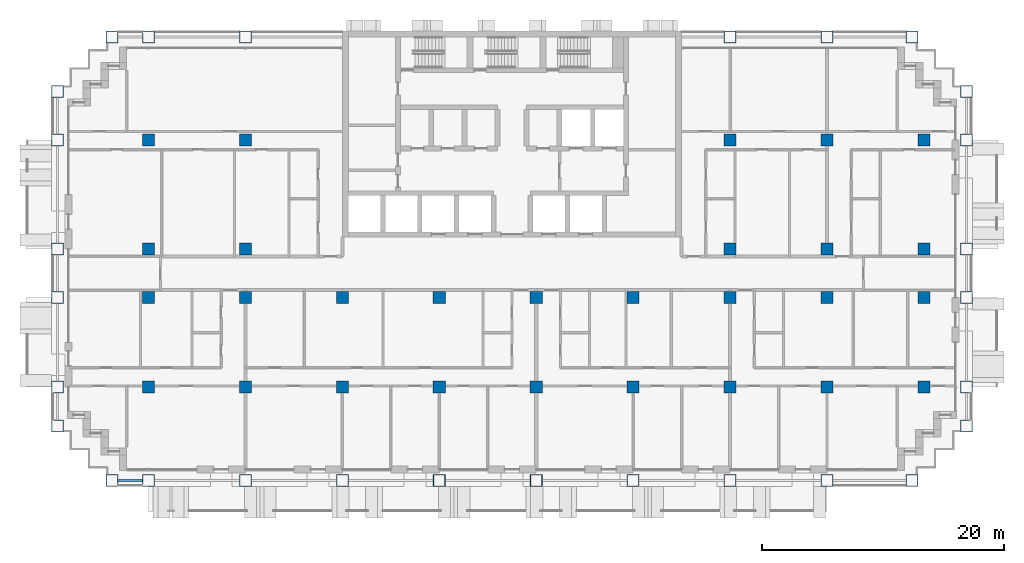
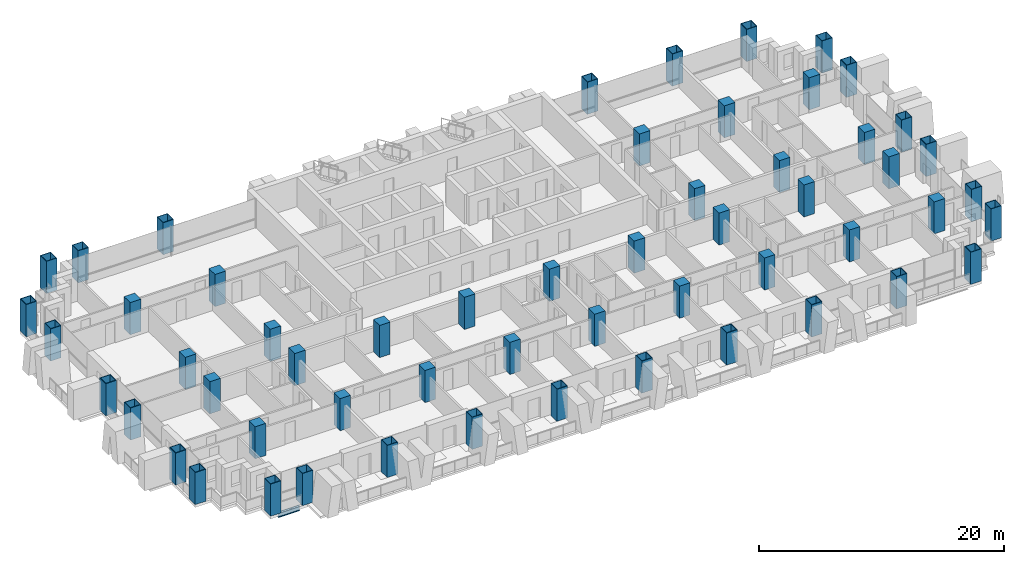
# One storey, part 1 of 18: 56 columns, 1 beam.
"""IFC4 building model written with IfcOpenShell, lengths in metres."""

import ifcopenshell
import ifcopenshell.guid

model = None  # the IFC model being written
_history = None  # IfcOwnerHistory: only IFC2X3 demands one
_inside = {}  # id of a spatial element -> (the spatial element, [elements in it])
_under = {}  # id of a project, library or spatial element -> (it, [spatial elements below it])
_declared = {}  # id of a project -> (the project, [libraries it declares])
_typed = {}  # id of a type object -> (the type object, [elements of that type])
_made_of = {}  # id of a material, layer set ... -> (it, [elements and type objects made of it])


def new_model(schema):
    """Start an empty IFC model of exactly this schema.

    Asked for "IFC4X3", IfcOpenShell would pick the latest addendum, in which some entities
    have other attributes; the version numbers below select the first issue.
    IFC2X3 requires an IfcOwnerHistory on every rooted entity: one is made here for all.
    """
    global model, _history
    if schema == "IFC4X3":
        model = ifcopenshell.file(schema_version=(4, 3, 0, 0))
    else:
        model = ifcopenshell.file(schema=schema)
    _inside.clear()
    _under.clear()
    _declared.clear()
    _typed.clear()
    _made_of.clear()
    _history = None
    if model.schema == "IFC2X3":
        org = make("IfcOrganization", Name="unknown")
        user = make(
            "IfcPersonAndOrganization",
            ThePerson=make("IfcPerson", FamilyName="unknown"),
            TheOrganization=org,
        )
        app = make(
            "IfcApplication",
            ApplicationDeveloper=org,
            Version="unknown",
            ApplicationFullName="unknown",
            ApplicationIdentifier="unknown",
        )
        _history = make(
            "IfcOwnerHistory",
            OwningUser=user,
            OwningApplication=app,
            ChangeAction="ADDED",
            CreationDate=0,
        )
    return model


def make(cls, **values):
    """One entity of the class cls with the attributes given. An attribute that is None is left unset."""
    return model.create_entity(
        cls, **{name: value for name, value in values.items() if value is not None}
    )


def rooted(cls, **values):
    """An entity with a GlobalId (a new one), such as an element, a storey or a relation."""
    return make(cls, GlobalId=ifcopenshell.guid.new(), OwnerHistory=_history, **values)


def si_unit(unit_type, name, prefix=None):
    """IfcSIUnit, for example si_unit("LENGTHUNIT", "METRE", prefix="MILLI")."""
    return make("IfcSIUnit", UnitType=unit_type, Prefix=prefix, Name=name)


def assignment(units):
    """IfcUnitAssignment: the units of a project."""
    return None if units is None else make("IfcUnitAssignment", Units=units)


def point(xyz):
    """IfcCartesianPoint."""
    return None if xyz is None else make("IfcCartesianPoint", Coordinates=xyz)


def direction(xyz):
    """IfcDirection."""
    return None if xyz is None else make("IfcDirection", DirectionRatios=xyz)


def frame(location, z_axis=None, x_axis=None):
    """IfcAxis2Placement3D, a coordinate frame: its origin and axes. An axis left out is left unset."""
    return make(
        "IfcAxis2Placement3D",
        Location=point(location),
        Axis=direction(z_axis),
        RefDirection=direction(x_axis),
    )


def frame_2d(location, x_axis=None):
    """IfcAxis2Placement2D, a coordinate frame in the plane: its origin and x axis."""
    return make(
        "IfcAxis2Placement2D", Location=point(location), RefDirection=direction(x_axis)
    )


def origin():
    """The frame at (0, 0, 0) with its axes left unset."""
    return frame((0.0, 0.0, 0.0))


def origin_2d():
    """The frame at (0, 0) in the plane with its x axis left unset."""
    return frame_2d((0.0, 0.0))


def place(relative_to, where):
    """IfcLocalPlacement: puts the frame where relative to a parent placement (None: the world)."""
    return make(
        "IfcLocalPlacement", PlacementRelTo=relative_to, RelativePlacement=where
    )


def context(
    kind, dimensions, precision=None, world=None, true_north=None, identifier=None
):
    """IfcGeometricRepresentationContext, for example the 3D "Model" context."""
    return make(
        "IfcGeometricRepresentationContext",
        ContextIdentifier=identifier,
        ContextType=kind,
        CoordinateSpaceDimension=dimensions,
        Precision=precision,
        WorldCoordinateSystem=world,
        TrueNorth=true_north,
    )


def subcontext(parent, identifier, kind, view, scale=None):
    """IfcGeometricRepresentationSubContext, for example "Body" below "Model"."""
    return make(
        "IfcGeometricRepresentationSubContext",
        ContextIdentifier=identifier,
        ContextType=kind,
        ParentContext=parent,
        TargetScale=scale,
        TargetView=view,
    )


def project(units=None, contexts=None):
    """IfcProject with its units and contexts."""
    return rooted(
        "IfcProject",
        Name="project",
        RepresentationContexts=contexts,
        UnitsInContext=assignment(units),
    )


def spatial(cls, under=None, at=None, **own):
    """A site, building, storey or space (cls), placed at a placement, below another one or the project."""
    s = rooted(cls, ObjectPlacement=at, **own)
    if under is not None:
        _under.setdefault(under.id(), (under, []))[1].append(s)
    return s


def profile(cls, at=None, kind="AREA", **sizes):
    """A parametric profile (cls). Its sizes go by their IFC names, for example OverallWidth=200.0."""
    return make(cls, ProfileType=kind, Position=at, **sizes)


def rectangle(**sizes):
    """IfcRectangleProfileDef."""
    return profile("IfcRectangleProfileDef", **sizes)


def hollow_rectangle(**sizes):
    """IfcRectangleHollowProfileDef."""
    return profile("IfcRectangleHollowProfileDef", **sizes)


def i_section(**sizes):
    """IfcIShapeProfileDef."""
    return profile("IfcIShapeProfileDef", **sizes)


def extrude(swept, where, along, depth):
    """IfcExtrudedAreaSolid: the profile swept, set in the frame where, extruded along a direction by depth."""
    return make(
        "IfcExtrudedAreaSolid",
        SweptArea=swept,
        Position=where,
        ExtrudedDirection=direction(along),
        Depth=depth,
    )


def shape(context_of_items, identifier, shape_type, items):
    """IfcShapeRepresentation: the items that make up one representation, for example the "Body"."""
    return make(
        "IfcShapeRepresentation",
        ContextOfItems=context_of_items,
        RepresentationIdentifier=identifier,
        RepresentationType=shape_type,
        Items=items,
    )


def material(Name=None, Category=None):
    """IfcMaterial."""
    return make("IfcMaterial", Name=Name, Category=Category)


def material_profile(
    of_material, cross_section, Name=None, Category=None, Priority=None
):
    """IfcMaterialProfile: a cross section and its material."""
    return make(
        "IfcMaterialProfile",
        Name=Name,
        Material=of_material,
        Profile=cross_section,
        Priority=Priority,
        Category=Category,
    )


def profile_set(profiles, Name=None, composite=None):
    """IfcMaterialProfileSet."""
    return make(
        "IfcMaterialProfileSet",
        Name=Name,
        MaterialProfiles=profiles,
        CompositeProfile=composite,
    )


def made_of(thing, what):
    """Note that an element or type object is made of a material, layer set ...; save() writes the relation."""
    if what is not None:
        _made_of.setdefault(what.id(), (what, []))[1].append(thing)
    return thing


def type_object(cls, material=None, **own):
    """A type object (cls), such as IfcWallType, which elements share."""
    return made_of(rooted(cls, **own), material)


def element(
    cls,
    number,
    at=None,
    inside=None,
    cuts=None,
    type_object=None,
    material=None,
    context=None,
    identifier="Body",
    shape_type=None,
    held_by="IfcProductDefinitionShape",
    body=None,
    shapes=None,
    **own,
):
    """One element of the class cls, such as IfcWall. Its Tag is "e" and its number.

    at: its placement. inside: the storey or other place that contains it. cuts: it is an
    opening in that element (IfcRelVoidsElement). A single representation is given by context,
    identifier, shape_type and body (its items); several are given by shapes. held_by: the class
    of the entity that holds the representations. save() writes the other relations.
    """
    e = rooted(cls, Tag="e%d" % number, ObjectPlacement=at, **own)
    if body is not None:
        shapes = [shape(context, identifier, shape_type, body)]
    if shapes is not None:
        e.Representation = make(held_by, Representations=shapes)
    if inside is not None:
        _inside.setdefault(inside.id(), (inside, []))[1].append(e)
    if cuts is not None:
        rooted(
            "IfcRelVoidsElement", RelatingBuildingElement=cuts, RelatedOpeningElement=e
        )
    if type_object is not None:
        _typed.setdefault(type_object.id(), (type_object, []))[1].append(e)
    return made_of(e, material)


def aggregate(whole, parts):
    """IfcRelAggregates: a whole, such as a stair, and the parts it consists of."""
    return rooted("IfcRelAggregates", RelatingObject=whole, RelatedObjects=parts)


def save(model, path):
    """Write the relations noted so far, then the file.

    IfcRelAggregates (storeys below a building ...), IfcRelContainedInSpatialStructure (elements
    in a storey), IfcRelDefinesByType, IfcRelAssociatesMaterial and IfcRelDeclares: one each for
    every whole, place, type object, material and project.
    """
    for whole, parts in _under.values():
        aggregate(whole, parts)
    for where, things in _inside.values():
        rooted(
            "IfcRelContainedInSpatialStructure",
            RelatedElements=things,
            RelatingStructure=where,
        )
    for kind, things in _typed.values():
        rooted("IfcRelDefinesByType", RelatedObjects=things, RelatingType=kind)
    for what, things in _made_of.values():
        rooted("IfcRelAssociatesMaterial", RelatedObjects=things, RelatingMaterial=what)
    for by, libraries in _declared.values():
        rooted("IfcRelDeclares", RelatingContext=by, RelatedDefinitions=libraries)
    model.write(path)


model = new_model("IFC4")

# Units and contexts
model_context = context("Model", 3, precision=1e-05, world=origin(), true_north=direction((0.0, 1.0)))
body_context = subcontext(model_context, "Body", "Model", "MODEL_VIEW")
ifc_project = project(units=[si_unit("LENGTHUNIT", "METRE"), si_unit("AREAUNIT", "SQUARE_METRE"), si_unit("VOLUMEUNIT", "CUBIC_METRE"), si_unit("PLANEANGLEUNIT", "RADIAN"), si_unit("MASSUNIT", "GRAM", prefix="KILO")], contexts=[model_context])

# Site, building, storey
site_placement = place(None, origin())
site = spatial("IfcSite", under=ifc_project, at=site_placement, CompositionType="ELEMENT")
building_placement = place(site_placement, origin())
building = spatial("IfcBuilding", under=site, at=building_placement, Name="Vidyagriha Tower", CompositionType="ELEMENT")
storey_placement = place(building_placement, frame((0.0, 0.0, 44.800048828125)))
storey = spatial("IfcBuildingStorey", under=building, at=storey_placement, Name="L11", CompositionType="ELEMENT", Elevation=44.800048828125)

# Columns
ifc_material_1 = material(Name="Steel ASTM A572 Grade 50", Category="steel")
ifc_material_profile_1 = material_profile(ifc_material_1, hollow_rectangle(XDim=1.0, YDim=1.0, WallThickness=0.050048828125, at=origin_2d()), Name="BOX 1000x1000x50")
ifc_profile_set_1 = profile_set([ifc_material_profile_1], Name="Steel ASTM A572 Grade 50")
column_type_1 = type_object("IfcColumnType", Name="Exoskeleton column BOX 1000x1000x50", PredefinedType="COLUMN", material=ifc_profile_set_1)
for number, where, name in (
    (1, (-33.0, -17.10009765625, 0.0), "st-col-L11-B1-001"),
    (2, (-30.0, -17.10009765625, 0.0), "st-col-L11-B1-002"),
    (3, (-22.0, -17.10009765625, 0.0), "st-col-L11-B1-003"),
    (4, (-14.0, -17.10009765625, 0.0), "st-col-L11-B1-004"),
    (5, (-6.0, -17.10009765625, 0.0), "st-col-L11-B1-005"),
    (6, (2.0, -17.10009765625, 0.0), "st-col-L11-B1-006"),
    (7, (10.0, -17.10009765625, 0.0), "st-col-L11-B1-007"),
    (8, (18.0, -17.10009765625, 0.0), "st-col-L11-B1-008"),
    (9, (26.0, -17.10009765625, 0.0), "st-col-L11-B1-009"),
    (10, (33.0, -17.10009765625, 0.0), "st-col-L11-B1-010"),
    (11, (-37.5, -12.60009765625, 0.0), "st-col-L11-B1-011"),
    (12, (37.5, -12.60009765625, 0.0), "st-col-L11-B1-012"),
    (13, (-37.5, -9.39990234375, 0.0), "st-col-L11-B1-013"),
    (14, (37.5, -9.39990234375, 0.0), "st-col-L11-B1-023"),
    (15, (-37.5, -2.0, 0.0), "st-col-L11-B1-024"),
    (16, (37.5, -2.0, 0.0), "st-col-L11-B1-034"),
    (17, (-37.5, 2.0, 0.0), "st-col-L11-B1-035"),
    (18, (37.5, 2.0, 0.0), "st-col-L11-B1-041"),
    (19, (-37.5, 11.0, 0.0), "st-col-L11-B1-042"),
    (20, (37.5, 11.0, 0.0), "st-col-L11-B1-048"),
    (21, (-37.5, 15.0, 0.0), "st-col-L11-B1-049"),
    (22, (37.5, 15.0, 0.0), "st-col-L11-B1-050"),
    (23, (-33.0, 19.5, 0.0), "st-col-L11-B1-051"),
    (24, (-30.0, 19.5, 0.0), "st-col-L11-B1-052"),
    (25, (-22.0, 19.5, 0.0), "st-col-L11-B1-053"),
    (26, (18.0, 19.5, 0.0), "st-col-L11-B1-054"),
    (27, (26.0, 19.5, 0.0), "st-col-L11-B1-055"),
    (28, (33.0, 19.5, 0.0), "st-col-L11-B1-056"),
):
    element("IfcColumn", number, at=place(storey_placement, frame(where)), inside=storey, type_object=column_type_1, Name=name, PredefinedType="COLUMN", context=body_context, shape_type="SweptSolid", body=[
        extrude(hollow_rectangle(XDim=1.0, YDim=1.0, WallThickness=0.050048828125, at=origin_2d()), origin(), (0.0, 0.0, 1.0), 3.199951171875),
    ])
ifc_material_2 = material(Name="Concrete C80/95", Category="concrete")
ifc_material_profile_2 = material_profile(ifc_material_2, rectangle(XDim=1.0, YDim=1.0, at=origin_2d()), Name="RC 1000x1000")
ifc_profile_set_2 = profile_set([ifc_material_profile_2], Name="Concrete C80/95")
column_type_2 = type_object("IfcColumnType", Name="Frame column RC 1000x1000", PredefinedType="COLUMN", material=ifc_profile_set_2)
for number, where, name in (
    (29, (-30.0, -9.39990234375, 0.0), "st-col-L11-B1-014"),
    (30, (-22.0, -9.39990234375, 0.0), "st-col-L11-B1-015"),
    (31, (-14.0, -9.39990234375, 0.0), "st-col-L11-B1-016"),
    (32, (-6.0, -9.39990234375, 0.0), "st-col-L11-B1-017"),
    (33, (2.0, -9.39990234375, 0.0), "st-col-L11-B1-018"),
    (34, (10.0, -9.39990234375, 0.0), "st-col-L11-B1-019"),
    (35, (18.0, -9.39990234375, 0.0), "st-col-L11-B1-020"),
    (36, (26.0, -9.39990234375, 0.0), "st-col-L11-B1-021"),
    (37, (34.0, -9.39990234375, 0.0), "st-col-L11-B1-022"),
    (38, (-30.0, -2.0, 0.0), "st-col-L11-B1-025"),
    (39, (-22.0, -2.0, 0.0), "st-col-L11-B1-026"),
    (40, (-14.0, -2.0, 0.0), "st-col-L11-B1-027"),
    (41, (-6.0, -2.0, 0.0), "st-col-L11-B1-028"),
    (42, (2.0, -2.0, 0.0), "st-col-L11-B1-029"),
    (43, (10.0, -2.0, 0.0), "st-col-L11-B1-030"),
    (44, (18.0, -2.0, 0.0), "st-col-L11-B1-031"),
    (45, (26.0, -2.0, 0.0), "st-col-L11-B1-032"),
    (46, (34.0, -2.0, 0.0), "st-col-L11-B1-033"),
    (47, (-30.0, 2.0, 0.0), "st-col-L11-B1-036"),
    (48, (-22.0, 2.0, 0.0), "st-col-L11-B1-037"),
    (49, (18.0, 2.0, 0.0), "st-col-L11-B1-038"),
    (50, (26.0, 2.0, 0.0), "st-col-L11-B1-039"),
    (51, (34.0, 2.0, 0.0), "st-col-L11-B1-040"),
    (52, (-30.0, 11.0, 0.0), "st-col-L11-B1-043"),
    (53, (-22.0, 11.0, 0.0), "st-col-L11-B1-044"),
    (54, (18.0, 11.0, 0.0), "st-col-L11-B1-045"),
    (55, (26.0, 11.0, 0.0), "st-col-L11-B1-046"),
    (56, (34.0, 11.0, 0.0), "st-col-L11-B1-047"),
):
    element("IfcColumn", number, at=place(storey_placement, frame(where)), inside=storey, type_object=column_type_2, Name=name, PredefinedType="COLUMN", context=body_context, shape_type="SweptSolid", body=[
        extrude(rectangle(XDim=1.0, YDim=1.0, at=origin_2d()), origin(), (0.0, 0.0, 1.0), 3.199951171875),
    ])

# Beam
ifc_material_3 = material(Name="Steel ASTM A992 Grade 50", Category="steel")
ifc_material_profile_3 = material_profile(ifc_material_3, i_section(OverallWidth=0.19189453125, OverallDepth=0.46240234375, WebThickness=0.010498046875, FlangeThickness=0.017578125, at=origin_2d()), Name="W18X60")
ifc_profile_set_3 = profile_set([ifc_material_profile_3], Name="Steel ASTM A992 Grade 50")
beam_type = type_object("IfcBeamType", Name="Edge beam W18X60", PredefinedType="SPANDREL", material=ifc_profile_set_3)
beam_placement = place(storey_placement, frame((-32.5, -17.10009765625, -0.51123046875), z_axis=(1.0, 0.0, 0.0), x_axis=(0.0, 1.0, 0.0)))
element("IfcBeam", 57, at=beam_placement, inside=storey, type_object=beam_type, Name="st-beam-L11-S01", PredefinedType="SPANDREL", context=body_context, shape_type="SweptSolid", body=[
    extrude(i_section(OverallWidth=0.19189453125, OverallDepth=0.46240234375, WebThickness=0.010498046875, FlangeThickness=0.017578125, at=origin_2d()), origin(), (0.0, 0.0, 1.0), 2.0),
])

save(model, "model.ifc")
